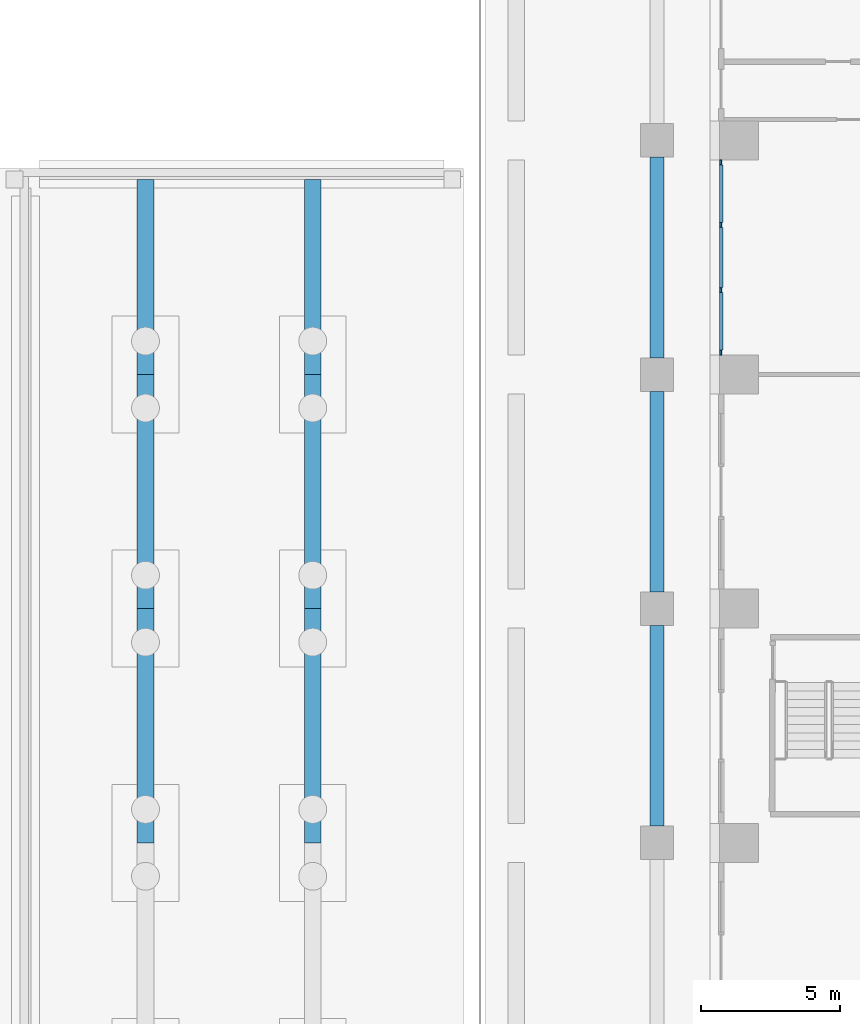
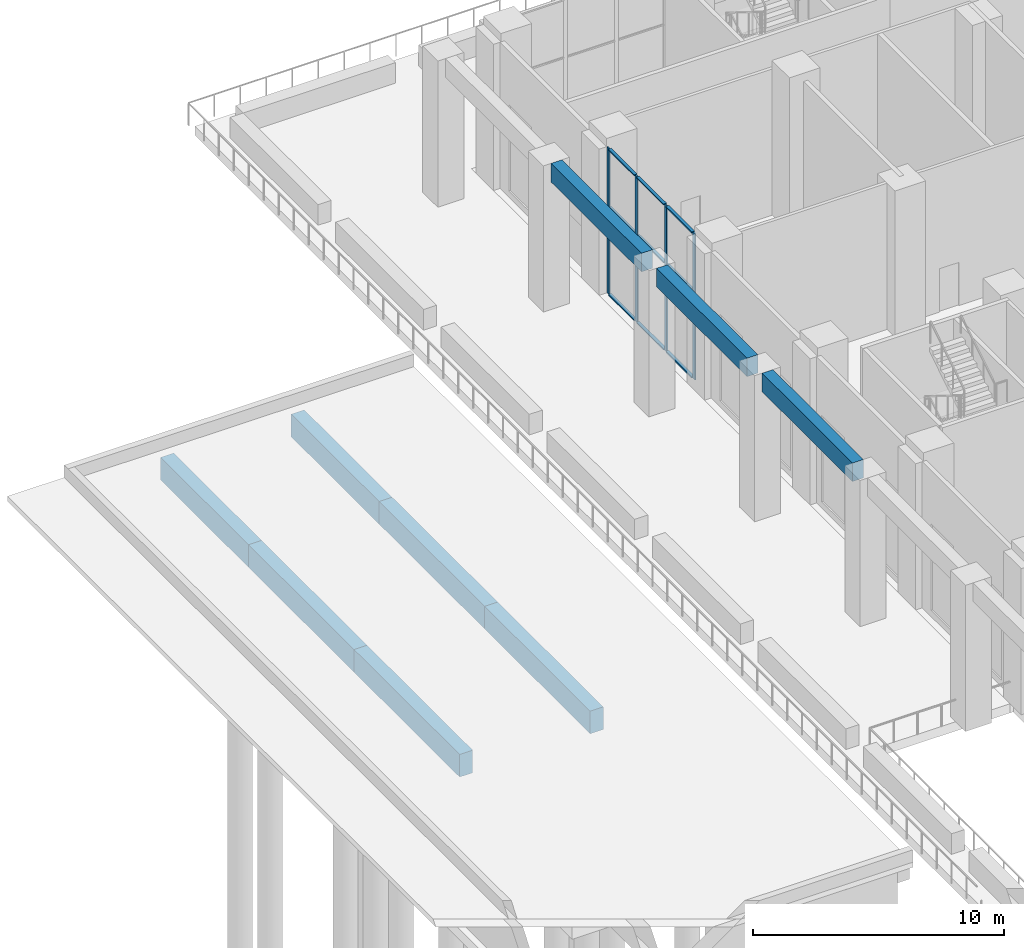
# One storey, part 6 of 53: 13 members, 9 beams, 1 element without a shape of its own.
"""IFC4 building model written with IfcOpenShell, lengths in metres."""

from ifc_helpers import new_model, si_unit, direction, frame, origin, origin_2d, place, context, subcontext, project, spatial, rectangle, extrude, material, material_profile, profile_set, type_object, element, aggregate, save


model = new_model("IFC4")

# Units and contexts
model_context = context("Model", 3, precision=1e-05, world=origin(), true_north=direction((0.0, 1.0)))
body_context = subcontext(model_context, "Body", "Model", "MODEL_VIEW")
ifc_project = project(units=[si_unit("LENGTHUNIT", "METRE"), si_unit("AREAUNIT", "SQUARE_METRE"), si_unit("VOLUMEUNIT", "CUBIC_METRE"), si_unit("PLANEANGLEUNIT", "RADIAN"), si_unit("MASSUNIT", "GRAM", prefix="KILO")], contexts=[model_context])

# Site, building, storey
site_placement = place(None, origin())
site = spatial("IfcSite", under=ifc_project, at=site_placement, CompositionType="ELEMENT")
building_placement = place(site_placement, origin())
building = spatial("IfcBuilding", under=site, at=building_placement, Name="Vermilion Ogive Tower", CompositionType="ELEMENT")
storey_placement = place(building_placement, origin())
storey = spatial("IfcBuildingStorey", under=building, at=storey_placement, Name="L00", CompositionType="ELEMENT", Elevation=0.0)

# Curtain wall, members
ifc_material_1 = material(Name="Clear double glazing in aluminium frame", Category="aluminium")
curtain_wall_type = type_object("IfcCurtainWallType", Name="Curtain wall CW1", PredefinedType="NOTDEFINED", material=ifc_material_1)
curtain_wall_placement = place(storey_placement, origin())
curtain_wall = element("IfcCurtainWall", 1, at=curtain_wall_placement, inside=storey, type_object=curtain_wall_type, Name="CW1 shopfront glazing W2", PredefinedType="NOTDEFINED")
ifc_material_2 = material(Name="Aluminium mullion", Category="aluminium")
ifc_material_profile_1 = material_profile(ifc_material_2, rectangle(XDim=0.06005859375, YDim=0.179931640625, at=origin_2d()), Name="AL 60x180")
ifc_profile_set_1 = profile_set([ifc_material_profile_1], Name="Aluminium mullion")
member_type_1 = type_object("IfcMemberType", Name="CW1 mullion 60x180", PredefinedType="MULLION", material=ifc_profile_set_1)
member_1_placement = place(storey_placement, frame((-34.260009765625, 20.2099609375, 0.0), z_axis=(0.0, 0.0, 1.0), x_axis=(1.0, 0.0, 0.0)))
member_1 = element("IfcMember", 2, at=member_1_placement, type_object=member_type_1, Name="CW1-W2 mullion 1", PredefinedType="MULLION", context=body_context, shape_type="SweptSolid", body=[
    extrude(rectangle(XDim=0.06005859375, YDim=0.179931640625, at=origin_2d()), origin(), (0.0, 0.0, 1.0), 7.10009765625),
])
member_2_placement = place(storey_placement, frame((-34.260009765625, 17.966552734375, 0.0), z_axis=(0.0, 0.0, 1.0), x_axis=(1.0, 0.0, 0.0)))
member_2 = element("IfcMember", 3, at=member_2_placement, type_object=member_type_1, Name="CW1-W2 mullion 2", PredefinedType="MULLION", context=body_context, shape_type="SweptSolid", body=[
    extrude(rectangle(XDim=0.06005859375, YDim=0.179931640625, at=origin_2d()), origin(), (0.0, 0.0, 1.0), 7.10009765625),
])
member_3_placement = place(storey_placement, frame((-34.260009765625, 15.63330078125, 0.0), z_axis=(0.0, 0.0, 1.0), x_axis=(1.0, 0.0, 0.0)))
member_3 = element("IfcMember", 4, at=member_3_placement, type_object=member_type_1, Name="CW1-W2 mullion 3", PredefinedType="MULLION", context=body_context, shape_type="SweptSolid", body=[
    extrude(rectangle(XDim=0.06005859375, YDim=0.179931640625, at=origin_2d()), origin(), (0.0, 0.0, 1.0), 7.10009765625),
])
member_4_placement = place(storey_placement, frame((-34.260009765625, 13.389892578125, 0.0), z_axis=(0.0, 0.0, 1.0), x_axis=(1.0, 0.0, 0.0)))
member_4 = element("IfcMember", 5, at=member_4_placement, type_object=member_type_1, Name="CW1-W2 mullion 4", PredefinedType="MULLION", context=body_context, shape_type="SweptSolid", body=[
    extrude(rectangle(XDim=0.06005859375, YDim=0.179931640625, at=origin_2d()), origin(), (0.0, 0.0, 1.0), 7.10009765625),
])
ifc_material_3 = material(Name="Aluminium transom", Category="aluminium")
ifc_material_profile_2 = material_profile(ifc_material_3, rectangle(XDim=0.139892578125, YDim=0.06005859375, at=origin_2d()), Name="AL 60x140")
ifc_profile_set_2 = profile_set([ifc_material_profile_2], Name="Aluminium transom")
member_type_2 = type_object("IfcMemberType", Name="CW1 transom 60x140", PredefinedType="USERDEFINED", material=ifc_profile_set_2)
member_5_placement = place(storey_placement, frame((-34.260009765625, 20.1201171875, 0.030029296875), z_axis=(0.0, -1.0, 0.0), x_axis=(1.0, 0.0, 0.0)))
member_5 = element("IfcMember", 6, at=member_5_placement, type_object=member_type_2, Name="CW1-W2 transom 1.1", ObjectType="TRANSOM", PredefinedType="USERDEFINED", context=body_context, shape_type="SweptSolid", body=[
    extrude(rectangle(XDim=0.139892578125, YDim=0.06005859375, at=origin_2d()), origin(), (0.0, 0.0, 1.0), 2.0634765625),
])
member_6_placement = place(storey_placement, frame((-34.260009765625, 20.1201171875, 4.260009765625), z_axis=(0.0, -1.0, 0.0), x_axis=(1.0, 0.0, 0.0)))
member_6 = element("IfcMember", 7, at=member_6_placement, type_object=member_type_2, Name="CW1-W2 transom 1.2", ObjectType="TRANSOM", PredefinedType="USERDEFINED", context=body_context, shape_type="SweptSolid", body=[
    extrude(rectangle(XDim=0.139892578125, YDim=0.06005859375, at=origin_2d()), origin(), (0.0, 0.0, 1.0), 2.0634765625),
])
member_7_placement = place(storey_placement, frame((-34.260009765625, 20.1201171875, 7.070068359375), z_axis=(0.0, -1.0, 0.0), x_axis=(1.0, 0.0, 0.0)))
member_7 = element("IfcMember", 8, at=member_7_placement, type_object=member_type_2, Name="CW1-W2 transom 1.3", ObjectType="TRANSOM", PredefinedType="USERDEFINED", context=body_context, shape_type="SweptSolid", body=[
    extrude(rectangle(XDim=0.139892578125, YDim=0.06005859375, at=origin_2d()), origin(), (0.0, 0.0, 1.0), 2.0634765625),
])
member_8_placement = place(storey_placement, frame((-34.260009765625, 17.876708984375, 0.030029296875), z_axis=(0.0, -1.0, 0.0), x_axis=(1.0, 0.0, 0.0)))
member_8 = element("IfcMember", 9, at=member_8_placement, type_object=member_type_2, Name="CW1-W2 transom 2.1", ObjectType="TRANSOM", PredefinedType="USERDEFINED", context=body_context, shape_type="SweptSolid", body=[
    extrude(rectangle(XDim=0.139892578125, YDim=0.06005859375, at=origin_2d()), origin(), (0.0, 0.0, 1.0), 2.1533203125),
])
member_9_placement = place(storey_placement, frame((-34.260009765625, 17.876708984375, 4.260009765625), z_axis=(0.0, -1.0, 0.0), x_axis=(1.0, 0.0, 0.0)))
member_9 = element("IfcMember", 10, at=member_9_placement, type_object=member_type_2, Name="CW1-W2 transom 2.2", ObjectType="TRANSOM", PredefinedType="USERDEFINED", context=body_context, shape_type="SweptSolid", body=[
    extrude(rectangle(XDim=0.139892578125, YDim=0.06005859375, at=origin_2d()), origin(), (0.0, 0.0, 1.0), 2.1533203125),
])
member_10_placement = place(storey_placement, frame((-34.260009765625, 17.876708984375, 7.070068359375), z_axis=(0.0, -1.0, 0.0), x_axis=(1.0, 0.0, 0.0)))
member_10 = element("IfcMember", 11, at=member_10_placement, type_object=member_type_2, Name="CW1-W2 transom 2.3", ObjectType="TRANSOM", PredefinedType="USERDEFINED", context=body_context, shape_type="SweptSolid", body=[
    extrude(rectangle(XDim=0.139892578125, YDim=0.06005859375, at=origin_2d()), origin(), (0.0, 0.0, 1.0), 2.1533203125),
])
member_11_placement = place(storey_placement, frame((-34.260009765625, 15.543212890625, 0.030029296875), z_axis=(0.0, -1.0, 0.0), x_axis=(1.0, 0.0, 0.0)))
member_11 = element("IfcMember", 12, at=member_11_placement, type_object=member_type_2, Name="CW1-W2 transom 3.1", ObjectType="TRANSOM", PredefinedType="USERDEFINED", context=body_context, shape_type="SweptSolid", body=[
    extrude(rectangle(XDim=0.139892578125, YDim=0.06005859375, at=origin_2d()), origin(), (0.0, 0.0, 1.0), 2.063232421875),
])
member_12_placement = place(storey_placement, frame((-34.260009765625, 15.543212890625, 4.260009765625), z_axis=(0.0, -1.0, 0.0), x_axis=(1.0, 0.0, 0.0)))
member_12 = element("IfcMember", 13, at=member_12_placement, type_object=member_type_2, Name="CW1-W2 transom 3.2", ObjectType="TRANSOM", PredefinedType="USERDEFINED", context=body_context, shape_type="SweptSolid", body=[
    extrude(rectangle(XDim=0.139892578125, YDim=0.06005859375, at=origin_2d()), origin(), (0.0, 0.0, 1.0), 2.063232421875),
])
member_13_placement = place(storey_placement, frame((-34.260009765625, 15.543212890625, 7.070068359375), z_axis=(0.0, -1.0, 0.0), x_axis=(1.0, 0.0, 0.0)))
member_13 = element("IfcMember", 14, at=member_13_placement, type_object=member_type_2, Name="CW1-W2 transom 3.3", ObjectType="TRANSOM", PredefinedType="USERDEFINED", context=body_context, shape_type="SweptSolid", body=[
    extrude(rectangle(XDim=0.139892578125, YDim=0.06005859375, at=origin_2d()), origin(), (0.0, 0.0, 1.0), 2.063232421875),
])
aggregate(curtain_wall, [member_1, member_2, member_3, member_4, member_5, member_6, member_7, member_8, member_9, member_10, member_11, member_12, member_13])

# Beams
ifc_material_4 = material(Name="Concrete B45", Category="concrete")
ifc_material_profile_3 = material_profile(ifc_material_4, rectangle(XDim=0.5, YDim=0.89990234375, at=origin_2d()), Name="RC 500x900")
ifc_profile_set_3 = profile_set([ifc_material_profile_3], Name="Concrete B45")
beam_type_1 = type_object("IfcBeamType", Name="Canopy fascia beam CF1 500x900", PredefinedType="BEAM", material=ifc_profile_set_3)
beam_1_placement = place(storey_placement, frame((-36.550048828125, -3.60009765625, 6.650146484375), z_axis=(0.0, 1.0, 0.0), x_axis=(-1.0, 0.0, 0.0)))
element("IfcBeam", 15, at=beam_1_placement, inside=storey, type_object=beam_type_1, Name="Canopy fascia beam 04", PredefinedType="BEAM", context=body_context, shape_type="SweptSolid", body=[
    extrude(rectangle(XDim=0.5, YDim=0.89990234375, at=origin_2d()), origin(), (0.0, 0.0, 1.0), 7.2001953125),
])
for number, where, z_axis, x_axis, name in (
    (16, (-36.550048828125, 4.800048828125, 6.650146484375), (0.0, 1.0, 0.0), (-1.0, 0.0, 0.0), "Canopy fascia beam 05"),
    (17, (-36.550048828125, 13.199951171875, 6.650146484375), (0.0, 1.0, 0.0), (-1.0, 0.0, 0.0), "Canopy fascia beam 06"),
):
    element("IfcBeam", number, at=place(storey_placement, frame(where, z_axis=z_axis, x_axis=x_axis)), inside=storey, type_object=beam_type_1, Name=name, PredefinedType="BEAM", context=body_context, shape_type="SweptSolid", body=[
        extrude(rectangle(XDim=0.5, YDim=0.89990234375, at=origin_2d()), origin(), (0.0, 0.0, 1.0), 7.199951171875),
    ])
ifc_material_5 = material(Name="Concrete B45", Category="concrete")
ifc_material_profile_4 = material_profile(ifc_material_5, rectangle(XDim=0.60009765625, YDim=1.10009765625, at=origin_2d()), Name="RC 600x1100")
ifc_profile_set_4 = profile_set([ifc_material_profile_4], Name="Concrete B45")
beam_type_2 = type_object("IfcBeamType", Name="Quay wharf beam QB1 600x1100", PredefinedType="BEAM", material=ifc_profile_set_4)
beam_2_placement = place(storey_placement, frame((-54.89990234375, -4.199951171875, -0.800048828125), z_axis=(0.0, 1.0, 0.0), x_axis=(-1.0, 0.0, 0.0)))
element("IfcBeam", 18, at=beam_2_placement, inside=storey, type_object=beam_type_2, Name="Quay wharf beam SITE-DROP-L0 3", PredefinedType="BEAM", context=body_context, shape_type="SweptSolid", body=[
    extrude(rectangle(XDim=0.60009765625, YDim=1.10009765625, at=origin_2d()), origin(), (0.0, 0.0, 1.0), 8.39990234375),
])
beam_3_placement = place(storey_placement, frame((-54.89990234375, 4.199951171875, -0.800048828125), z_axis=(0.0, 1.0, 0.0), x_axis=(-1.0, 0.0, 0.0)))
element("IfcBeam", 19, at=beam_3_placement, inside=storey, type_object=beam_type_2, Name="Quay wharf beam SITE-DROP-L0 4", PredefinedType="BEAM", context=body_context, shape_type="SweptSolid", body=[
    extrude(rectangle(XDim=0.60009765625, YDim=1.10009765625, at=origin_2d()), origin(), (0.0, 0.0, 1.0), 8.400146484375),
])
beam_4_placement = place(storey_placement, frame((-54.89990234375, 12.60009765625, -0.800048828125), z_axis=(0.0, 1.0, 0.0), x_axis=(-1.0, 0.0, 0.0)))
element("IfcBeam", 20, at=beam_4_placement, inside=storey, type_object=beam_type_2, Name="Quay wharf beam SITE-DROP-L0 5", PredefinedType="BEAM", context=body_context, shape_type="SweptSolid", body=[
    extrude(rectangle(XDim=0.60009765625, YDim=1.10009765625, at=origin_2d()), origin(), (0.0, 0.0, 1.0), 7.0),
])
beam_5_placement = place(storey_placement, frame((-48.89990234375, -4.199951171875, -0.800048828125), z_axis=(0.0, 1.0, 0.0), x_axis=(-1.0, 0.0, 0.0)))
element("IfcBeam", 21, at=beam_5_placement, inside=storey, type_object=beam_type_2, Name="Quay wharf beam SITE-DROP-L1 3", PredefinedType="BEAM", context=body_context, shape_type="SweptSolid", body=[
    extrude(rectangle(XDim=0.60009765625, YDim=1.10009765625, at=origin_2d()), origin(), (0.0, 0.0, 1.0), 8.39990234375),
])
beam_6_placement = place(storey_placement, frame((-48.89990234375, 4.199951171875, -0.800048828125), z_axis=(0.0, 1.0, 0.0), x_axis=(-1.0, 0.0, 0.0)))
element("IfcBeam", 22, at=beam_6_placement, inside=storey, type_object=beam_type_2, Name="Quay wharf beam SITE-DROP-L1 4", PredefinedType="BEAM", context=body_context, shape_type="SweptSolid", body=[
    extrude(rectangle(XDim=0.60009765625, YDim=1.10009765625, at=origin_2d()), origin(), (0.0, 0.0, 1.0), 8.400146484375),
])
beam_7_placement = place(storey_placement, frame((-48.89990234375, 12.60009765625, -0.800048828125), z_axis=(0.0, 1.0, 0.0), x_axis=(-1.0, 0.0, 0.0)))
element("IfcBeam", 23, at=beam_7_placement, inside=storey, type_object=beam_type_2, Name="Quay wharf beam SITE-DROP-L1 5", PredefinedType="BEAM", context=body_context, shape_type="SweptSolid", body=[
    extrude(rectangle(XDim=0.60009765625, YDim=1.10009765625, at=origin_2d()), origin(), (0.0, 0.0, 1.0), 7.0),
])

save(model, "model.ifc")
